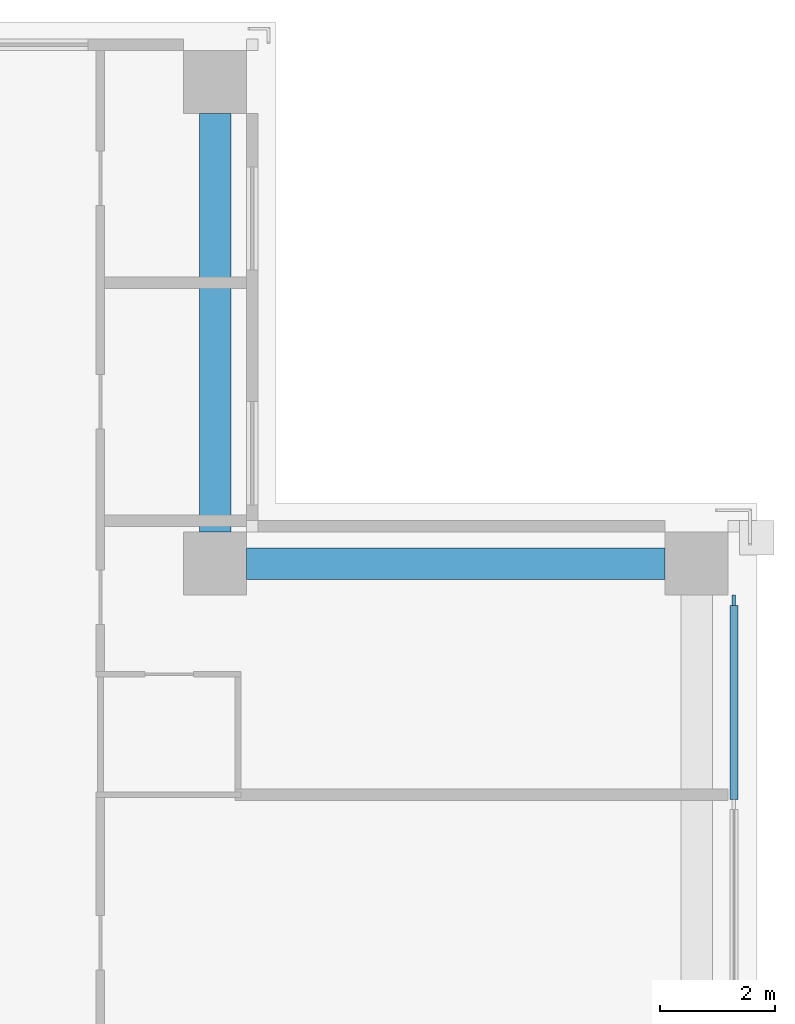
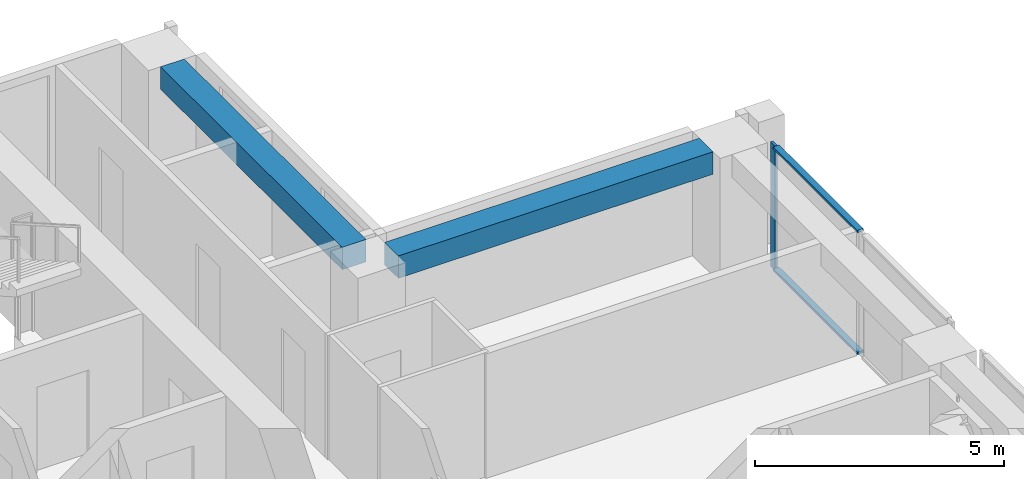
# One storey, part 7 of 16: 3 members, 2 beams, 1 element without a shape of its own.
"""IFC4 building model written with IfcOpenShell, lengths in metres."""

import ifcopenshell
import ifcopenshell.guid

model = None  # the IFC model being written
_history = None  # IfcOwnerHistory: only IFC2X3 demands one
_inside = {}  # id of a spatial element -> (the spatial element, [elements in it])
_under = {}  # id of a project, library or spatial element -> (it, [spatial elements below it])
_declared = {}  # id of a project -> (the project, [libraries it declares])
_typed = {}  # id of a type object -> (the type object, [elements of that type])
_made_of = {}  # id of a material, layer set ... -> (it, [elements and type objects made of it])


def new_model(schema):
    """Start an empty IFC model of exactly this schema.

    Asked for "IFC4X3", IfcOpenShell would pick the latest addendum, in which some entities
    have other attributes; the version numbers below select the first issue.
    IFC2X3 requires an IfcOwnerHistory on every rooted entity: one is made here for all.
    """
    global model, _history
    if schema == "IFC4X3":
        model = ifcopenshell.file(schema_version=(4, 3, 0, 0))
    else:
        model = ifcopenshell.file(schema=schema)
    _inside.clear()
    _under.clear()
    _declared.clear()
    _typed.clear()
    _made_of.clear()
    _history = None
    if model.schema == "IFC2X3":
        org = make("IfcOrganization", Name="unknown")
        user = make(
            "IfcPersonAndOrganization",
            ThePerson=make("IfcPerson", FamilyName="unknown"),
            TheOrganization=org,
        )
        app = make(
            "IfcApplication",
            ApplicationDeveloper=org,
            Version="unknown",
            ApplicationFullName="unknown",
            ApplicationIdentifier="unknown",
        )
        _history = make(
            "IfcOwnerHistory",
            OwningUser=user,
            OwningApplication=app,
            ChangeAction="ADDED",
            CreationDate=0,
        )
    return model


def make(cls, **values):
    """One entity of the class cls with the attributes given. An attribute that is None is left unset."""
    return model.create_entity(
        cls, **{name: value for name, value in values.items() if value is not None}
    )


def rooted(cls, **values):
    """An entity with a GlobalId (a new one), such as an element, a storey or a relation."""
    return make(cls, GlobalId=ifcopenshell.guid.new(), OwnerHistory=_history, **values)


def si_unit(unit_type, name, prefix=None):
    """IfcSIUnit, for example si_unit("LENGTHUNIT", "METRE", prefix="MILLI")."""
    return make("IfcSIUnit", UnitType=unit_type, Prefix=prefix, Name=name)


def assignment(units):
    """IfcUnitAssignment: the units of a project."""
    return None if units is None else make("IfcUnitAssignment", Units=units)


def point(xyz):
    """IfcCartesianPoint."""
    return None if xyz is None else make("IfcCartesianPoint", Coordinates=xyz)


def direction(xyz):
    """IfcDirection."""
    return None if xyz is None else make("IfcDirection", DirectionRatios=xyz)


def frame(location, z_axis=None, x_axis=None):
    """IfcAxis2Placement3D, a coordinate frame: its origin and axes. An axis left out is left unset."""
    return make(
        "IfcAxis2Placement3D",
        Location=point(location),
        Axis=direction(z_axis),
        RefDirection=direction(x_axis),
    )


def frame_2d(location, x_axis=None):
    """IfcAxis2Placement2D, a coordinate frame in the plane: its origin and x axis."""
    return make(
        "IfcAxis2Placement2D", Location=point(location), RefDirection=direction(x_axis)
    )


def origin():
    """The frame at (0, 0, 0) with its axes left unset."""
    return frame((0.0, 0.0, 0.0))


def origin_2d():
    """The frame at (0, 0) in the plane with its x axis left unset."""
    return frame_2d((0.0, 0.0))


def place(relative_to, where):
    """IfcLocalPlacement: puts the frame where relative to a parent placement (None: the world)."""
    return make(
        "IfcLocalPlacement", PlacementRelTo=relative_to, RelativePlacement=where
    )


def context(
    kind, dimensions, precision=None, world=None, true_north=None, identifier=None
):
    """IfcGeometricRepresentationContext, for example the 3D "Model" context."""
    return make(
        "IfcGeometricRepresentationContext",
        ContextIdentifier=identifier,
        ContextType=kind,
        CoordinateSpaceDimension=dimensions,
        Precision=precision,
        WorldCoordinateSystem=world,
        TrueNorth=true_north,
    )


def subcontext(parent, identifier, kind, view, scale=None):
    """IfcGeometricRepresentationSubContext, for example "Body" below "Model"."""
    return make(
        "IfcGeometricRepresentationSubContext",
        ContextIdentifier=identifier,
        ContextType=kind,
        ParentContext=parent,
        TargetScale=scale,
        TargetView=view,
    )


def project(units=None, contexts=None):
    """IfcProject with its units and contexts."""
    return rooted(
        "IfcProject",
        Name="project",
        RepresentationContexts=contexts,
        UnitsInContext=assignment(units),
    )


def spatial(cls, under=None, at=None, **own):
    """A site, building, storey or space (cls), placed at a placement, below another one or the project."""
    s = rooted(cls, ObjectPlacement=at, **own)
    if under is not None:
        _under.setdefault(under.id(), (under, []))[1].append(s)
    return s


def profile(cls, at=None, kind="AREA", **sizes):
    """A parametric profile (cls). Its sizes go by their IFC names, for example OverallWidth=200.0."""
    return make(cls, ProfileType=kind, Position=at, **sizes)


def rectangle(**sizes):
    """IfcRectangleProfileDef."""
    return profile("IfcRectangleProfileDef", **sizes)


def extrude(swept, where, along, depth):
    """IfcExtrudedAreaSolid: the profile swept, set in the frame where, extruded along a direction by depth."""
    return make(
        "IfcExtrudedAreaSolid",
        SweptArea=swept,
        Position=where,
        ExtrudedDirection=direction(along),
        Depth=depth,
    )


def shape(context_of_items, identifier, shape_type, items):
    """IfcShapeRepresentation: the items that make up one representation, for example the "Body"."""
    return make(
        "IfcShapeRepresentation",
        ContextOfItems=context_of_items,
        RepresentationIdentifier=identifier,
        RepresentationType=shape_type,
        Items=items,
    )


def material(Name=None, Category=None):
    """IfcMaterial."""
    return make("IfcMaterial", Name=Name, Category=Category)


def material_profile(
    of_material, cross_section, Name=None, Category=None, Priority=None
):
    """IfcMaterialProfile: a cross section and its material."""
    return make(
        "IfcMaterialProfile",
        Name=Name,
        Material=of_material,
        Profile=cross_section,
        Priority=Priority,
        Category=Category,
    )


def profile_set(profiles, Name=None, composite=None):
    """IfcMaterialProfileSet."""
    return make(
        "IfcMaterialProfileSet",
        Name=Name,
        MaterialProfiles=profiles,
        CompositeProfile=composite,
    )


def made_of(thing, what):
    """Note that an element or type object is made of a material, layer set ...; save() writes the relation."""
    if what is not None:
        _made_of.setdefault(what.id(), (what, []))[1].append(thing)
    return thing


def type_object(cls, material=None, **own):
    """A type object (cls), such as IfcWallType, which elements share."""
    return made_of(rooted(cls, **own), material)


def element(
    cls,
    number,
    at=None,
    inside=None,
    cuts=None,
    type_object=None,
    material=None,
    context=None,
    identifier="Body",
    shape_type=None,
    held_by="IfcProductDefinitionShape",
    body=None,
    shapes=None,
    **own,
):
    """One element of the class cls, such as IfcWall. Its Tag is "e" and its number.

    at: its placement. inside: the storey or other place that contains it. cuts: it is an
    opening in that element (IfcRelVoidsElement). A single representation is given by context,
    identifier, shape_type and body (its items); several are given by shapes. held_by: the class
    of the entity that holds the representations. save() writes the other relations.
    """
    e = rooted(cls, Tag="e%d" % number, ObjectPlacement=at, **own)
    if body is not None:
        shapes = [shape(context, identifier, shape_type, body)]
    if shapes is not None:
        e.Representation = make(held_by, Representations=shapes)
    if inside is not None:
        _inside.setdefault(inside.id(), (inside, []))[1].append(e)
    if cuts is not None:
        rooted(
            "IfcRelVoidsElement", RelatingBuildingElement=cuts, RelatedOpeningElement=e
        )
    if type_object is not None:
        _typed.setdefault(type_object.id(), (type_object, []))[1].append(e)
    return made_of(e, material)


def aggregate(whole, parts):
    """IfcRelAggregates: a whole, such as a stair, and the parts it consists of."""
    return rooted("IfcRelAggregates", RelatingObject=whole, RelatedObjects=parts)


def save(model, path):
    """Write the relations noted so far, then the file.

    IfcRelAggregates (storeys below a building ...), IfcRelContainedInSpatialStructure (elements
    in a storey), IfcRelDefinesByType, IfcRelAssociatesMaterial and IfcRelDeclares: one each for
    every whole, place, type object, material and project.
    """
    for whole, parts in _under.values():
        aggregate(whole, parts)
    for where, things in _inside.values():
        rooted(
            "IfcRelContainedInSpatialStructure",
            RelatedElements=things,
            RelatingStructure=where,
        )
    for kind, things in _typed.values():
        rooted("IfcRelDefinesByType", RelatedObjects=things, RelatingType=kind)
    for what, things in _made_of.values():
        rooted("IfcRelAssociatesMaterial", RelatedObjects=things, RelatingMaterial=what)
    for by, libraries in _declared.values():
        rooted("IfcRelDeclares", RelatingContext=by, RelatedDefinitions=libraries)
    model.write(path)


model = new_model("IFC4")

# Units and contexts
model_context = context("Model", 3, precision=1e-05, world=origin(), true_north=direction((0.0, 1.0)))
body_context = subcontext(model_context, "Body", "Model", "MODEL_VIEW")
ifc_project = project(units=[si_unit("LENGTHUNIT", "METRE"), si_unit("AREAUNIT", "SQUARE_METRE"), si_unit("VOLUMEUNIT", "CUBIC_METRE"), si_unit("PLANEANGLEUNIT", "RADIAN"), si_unit("MASSUNIT", "GRAM", prefix="KILO")], contexts=[model_context])

# Site, building, storey
site_placement = place(None, origin())
site = spatial("IfcSite", under=ifc_project, at=site_placement, CompositionType="ELEMENT")
building_placement = place(site_placement, origin())
building = spatial("IfcBuilding", under=site, at=building_placement, Name="Vermilion Ogive Tower", CompositionType="ELEMENT")
storey_placement = place(building_placement, frame((0.0, 0.0, 160.699951171875)))
storey = spatial("IfcBuildingStorey", under=building, at=storey_placement, Name="L41", CompositionType="ELEMENT", Elevation=160.699951171875)

# Curtain wall, members
ifc_material_1 = material(Name="Low-iron laminated glazing in aluminium frame", Category="aluminium")
curtain_wall_type = type_object("IfcCurtainWallType", Name="Curtain wall CW7", PredefinedType="NOTDEFINED", material=ifc_material_1)
curtain_wall_placement = place(storey_placement, origin())
curtain_wall = element("IfcCurtainWall", 1, at=curtain_wall_placement, inside=storey, type_object=curtain_wall_type, Name="Glazed skin E3", PredefinedType="NOTDEFINED")
ifc_material_2 = material(Name="Aluminium mullion", Category="aluminium")
ifc_material_profile_1 = material_profile(ifc_material_2, rectangle(XDim=0.06005859375, YDim=0.179931640625, at=origin_2d()), Name="AL 60x180")
ifc_profile_set_1 = profile_set([ifc_material_profile_1], Name="Aluminium mullion")
member_type_1 = type_object("IfcMemberType", Name="CW7 mullion 60x180", PredefinedType="MULLION", material=ifc_profile_set_1)
member_1_placement = place(storey_placement, frame((21.64990234375, 11.9599609375, 0.0), z_axis=(0.0, 0.0, 1.0), x_axis=(-1.0, 0.0, 0.0)))
member_1 = element("IfcMember", 2, at=member_1_placement, type_object=member_type_1, Name="CW7-E3 mullion 3", PredefinedType="MULLION", context=body_context, shape_type="SweptSolid", body=[
    extrude(rectangle(XDim=0.06005859375, YDim=0.179931640625, at=origin_2d()), origin(), (0.0, 0.0, 1.0), 3.050048828125),
])
ifc_material_3 = material(Name="Aluminium transom", Category="aluminium")
ifc_material_profile_2 = material_profile(ifc_material_3, rectangle(XDim=0.139892578125, YDim=0.06005859375, at=origin_2d()), Name="AL 60x140")
ifc_profile_set_2 = profile_set([ifc_material_profile_2], Name="Aluminium transom")
member_type_2 = type_object("IfcMemberType", Name="CW7 transom 60x140", PredefinedType="USERDEFINED", material=ifc_profile_set_2)
member_2_placement = place(storey_placement, frame((21.64990234375, 8.489990234375, 0.030029296875), z_axis=(0.0, 1.0, 0.0), x_axis=(-1.0, 0.0, 0.0)))
member_2 = element("IfcMember", 3, at=member_2_placement, type_object=member_type_2, Name="CW7-E3 transom 2.1", ObjectType="TRANSOM", PredefinedType="USERDEFINED", context=body_context, shape_type="SweptSolid", body=[
    extrude(rectangle(XDim=0.139892578125, YDim=0.06005859375, at=origin_2d()), origin(), (0.0, 0.0, 1.0), 3.380126953125),
])
member_3_placement = place(storey_placement, frame((21.64990234375, 8.489990234375, 3.02001953125), z_axis=(0.0, 1.0, 0.0), x_axis=(-1.0, 0.0, 0.0)))
member_3 = element("IfcMember", 4, at=member_3_placement, type_object=member_type_2, Name="CW7-E3 transom 2.2", ObjectType="TRANSOM", PredefinedType="USERDEFINED", context=body_context, shape_type="SweptSolid", body=[
    extrude(rectangle(XDim=0.139892578125, YDim=0.06005859375, at=origin_2d()), origin(), (0.0, 0.0, 1.0), 3.380126953125),
])
aggregate(curtain_wall, [member_1, member_2, member_3])

# Beams
ifc_material_4 = material(Name="Concrete B45", Category="concrete")
ifc_material_profile_3 = material_profile(ifc_material_4, rectangle(XDim=0.550048828125, YDim=0.550048828125, at=origin_2d()), Name="550 x 550")
ifc_profile_set_3 = profile_set([ifc_material_profile_3], Name="Concrete B45")
beam_type = type_object("IfcBeamType", Name="Edge beam 550 x 550 B45", PredefinedType="BEAM", material=ifc_profile_set_3)
for number, where, z_axis, x_axis, name in (
    (5, (20.449951171875, 12.60009765625, 2.775146484375), (-1.0, 0.0, 0.0), (0.0, -1.0, 0.0), "L41-EB-9"),
    (6, (12.60009765625, 13.14990234375, 2.775146484375), (0.0, 1.0, 0.0), (-1.0, 0.0, 0.0), "L41-EB-10"),
):
    element("IfcBeam", number, at=place(storey_placement, frame(where, z_axis=z_axis, x_axis=x_axis)), inside=storey, type_object=beam_type, Name=name, PredefinedType="BEAM", context=body_context, shape_type="SweptSolid", body=[
        extrude(rectangle(XDim=0.550048828125, YDim=0.550048828125, at=origin_2d()), origin(), (0.0, 0.0, 1.0), 7.300048828125),
    ])

save(model, "model.ifc")
